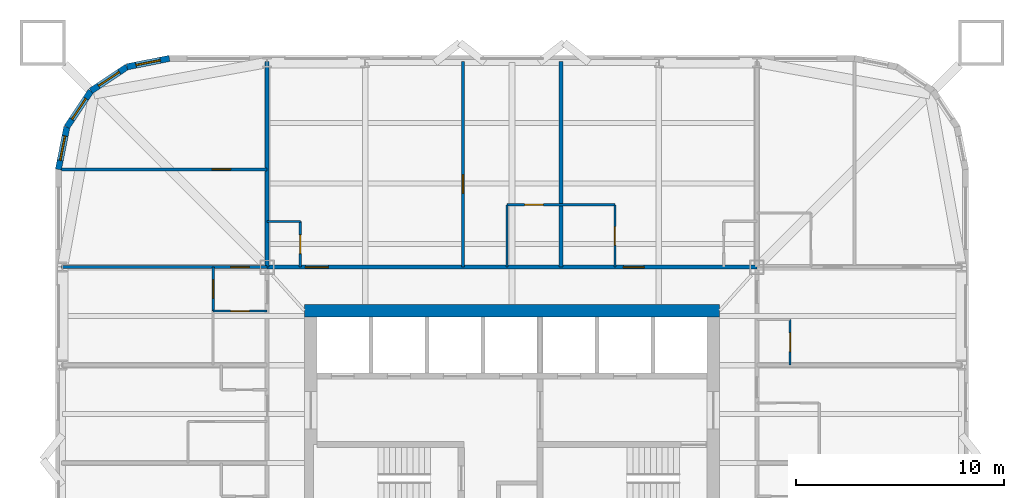
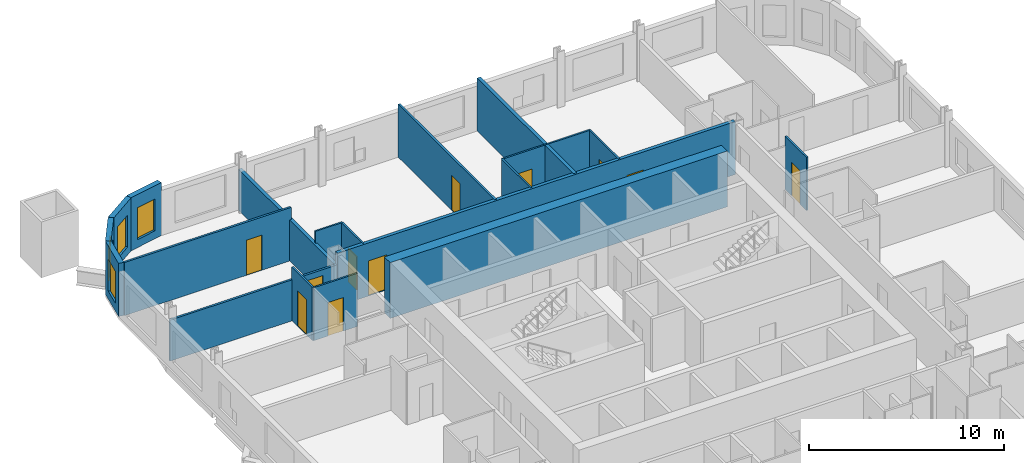
# One storey, part 7 of 10: 19 walls, 11 doors, 4 windows, 15 openings.
"""IFC4 building model written with IfcOpenShell, lengths in metres."""

import ifcopenshell
import ifcopenshell.guid

model = None  # the IFC model being written
_history = None  # IfcOwnerHistory: only IFC2X3 demands one
_inside = {}  # id of a spatial element -> (the spatial element, [elements in it])
_under = {}  # id of a project, library or spatial element -> (it, [spatial elements below it])
_declared = {}  # id of a project -> (the project, [libraries it declares])
_typed = {}  # id of a type object -> (the type object, [elements of that type])
_made_of = {}  # id of a material, layer set ... -> (it, [elements and type objects made of it])


def new_model(schema):
    """Start an empty IFC model of exactly this schema.

    Asked for "IFC4X3", IfcOpenShell would pick the latest addendum, in which some entities
    have other attributes; the version numbers below select the first issue.
    IFC2X3 requires an IfcOwnerHistory on every rooted entity: one is made here for all.
    """
    global model, _history
    if schema == "IFC4X3":
        model = ifcopenshell.file(schema_version=(4, 3, 0, 0))
    else:
        model = ifcopenshell.file(schema=schema)
    _inside.clear()
    _under.clear()
    _declared.clear()
    _typed.clear()
    _made_of.clear()
    _history = None
    if model.schema == "IFC2X3":
        org = make("IfcOrganization", Name="unknown")
        user = make(
            "IfcPersonAndOrganization",
            ThePerson=make("IfcPerson", FamilyName="unknown"),
            TheOrganization=org,
        )
        app = make(
            "IfcApplication",
            ApplicationDeveloper=org,
            Version="unknown",
            ApplicationFullName="unknown",
            ApplicationIdentifier="unknown",
        )
        _history = make(
            "IfcOwnerHistory",
            OwningUser=user,
            OwningApplication=app,
            ChangeAction="ADDED",
            CreationDate=0,
        )
    return model


def make(cls, **values):
    """One entity of the class cls with the attributes given. An attribute that is None is left unset."""
    return model.create_entity(
        cls, **{name: value for name, value in values.items() if value is not None}
    )


def rooted(cls, **values):
    """An entity with a GlobalId (a new one), such as an element, a storey or a relation."""
    return make(cls, GlobalId=ifcopenshell.guid.new(), OwnerHistory=_history, **values)


def si_unit(unit_type, name, prefix=None):
    """IfcSIUnit, for example si_unit("LENGTHUNIT", "METRE", prefix="MILLI")."""
    return make("IfcSIUnit", UnitType=unit_type, Prefix=prefix, Name=name)


def assignment(units):
    """IfcUnitAssignment: the units of a project."""
    return None if units is None else make("IfcUnitAssignment", Units=units)


def point(xyz):
    """IfcCartesianPoint."""
    return None if xyz is None else make("IfcCartesianPoint", Coordinates=xyz)


def direction(xyz):
    """IfcDirection."""
    return None if xyz is None else make("IfcDirection", DirectionRatios=xyz)


def frame(location, z_axis=None, x_axis=None):
    """IfcAxis2Placement3D, a coordinate frame: its origin and axes. An axis left out is left unset."""
    return make(
        "IfcAxis2Placement3D",
        Location=point(location),
        Axis=direction(z_axis),
        RefDirection=direction(x_axis),
    )


def frame_2d(location, x_axis=None):
    """IfcAxis2Placement2D, a coordinate frame in the plane: its origin and x axis."""
    return make(
        "IfcAxis2Placement2D", Location=point(location), RefDirection=direction(x_axis)
    )


def origin():
    """The frame at (0, 0, 0) with its axes left unset."""
    return frame((0.0, 0.0, 0.0))


def place(relative_to, where):
    """IfcLocalPlacement: puts the frame where relative to a parent placement (None: the world)."""
    return make(
        "IfcLocalPlacement", PlacementRelTo=relative_to, RelativePlacement=where
    )


def context(
    kind, dimensions, precision=None, world=None, true_north=None, identifier=None
):
    """IfcGeometricRepresentationContext, for example the 3D "Model" context."""
    return make(
        "IfcGeometricRepresentationContext",
        ContextIdentifier=identifier,
        ContextType=kind,
        CoordinateSpaceDimension=dimensions,
        Precision=precision,
        WorldCoordinateSystem=world,
        TrueNorth=true_north,
    )


def subcontext(parent, identifier, kind, view, scale=None):
    """IfcGeometricRepresentationSubContext, for example "Body" below "Model"."""
    return make(
        "IfcGeometricRepresentationSubContext",
        ContextIdentifier=identifier,
        ContextType=kind,
        ParentContext=parent,
        TargetScale=scale,
        TargetView=view,
    )


def project(units=None, contexts=None):
    """IfcProject with its units and contexts."""
    return rooted(
        "IfcProject",
        Name="project",
        RepresentationContexts=contexts,
        UnitsInContext=assignment(units),
    )


def spatial(cls, under=None, at=None, **own):
    """A site, building, storey or space (cls), placed at a placement, below another one or the project."""
    s = rooted(cls, ObjectPlacement=at, **own)
    if under is not None:
        _under.setdefault(under.id(), (under, []))[1].append(s)
    return s


def profile(cls, at=None, kind="AREA", **sizes):
    """A parametric profile (cls). Its sizes go by their IFC names, for example OverallWidth=200.0."""
    return make(cls, ProfileType=kind, Position=at, **sizes)


def rectangle(**sizes):
    """IfcRectangleProfileDef."""
    return profile("IfcRectangleProfileDef", **sizes)


def extrude(swept, where, along, depth):
    """IfcExtrudedAreaSolid: the profile swept, set in the frame where, extruded along a direction by depth."""
    return make(
        "IfcExtrudedAreaSolid",
        SweptArea=swept,
        Position=where,
        ExtrudedDirection=direction(along),
        Depth=depth,
    )


def shape(context_of_items, identifier, shape_type, items):
    """IfcShapeRepresentation: the items that make up one representation, for example the "Body"."""
    return make(
        "IfcShapeRepresentation",
        ContextOfItems=context_of_items,
        RepresentationIdentifier=identifier,
        RepresentationType=shape_type,
        Items=items,
    )


def material(Name=None, Category=None):
    """IfcMaterial."""
    return make("IfcMaterial", Name=Name, Category=Category)


def layer(
    of_material, thickness, ventilated=None, Name=None, Category=None, Priority=None
):
    """IfcMaterialLayer: one layer of a wall or slab, of a material (None: an air gap)."""
    return make(
        "IfcMaterialLayer",
        Material=of_material,
        LayerThickness=thickness,
        IsVentilated=ventilated,
        Name=Name,
        Category=Category,
        Priority=Priority,
    )


def layer_set(layers, Name=None):
    """IfcMaterialLayerSet."""
    return make("IfcMaterialLayerSet", MaterialLayers=layers, LayerSetName=Name)


def made_of(thing, what):
    """Note that an element or type object is made of a material, layer set ...; save() writes the relation."""
    if what is not None:
        _made_of.setdefault(what.id(), (what, []))[1].append(thing)
    return thing


def type_object(cls, material=None, **own):
    """A type object (cls), such as IfcWallType, which elements share."""
    return made_of(rooted(cls, **own), material)


def element(
    cls,
    number,
    at=None,
    inside=None,
    cuts=None,
    type_object=None,
    material=None,
    context=None,
    identifier="Body",
    shape_type=None,
    held_by="IfcProductDefinitionShape",
    body=None,
    shapes=None,
    **own,
):
    """One element of the class cls, such as IfcWall. Its Tag is "e" and its number.

    at: its placement. inside: the storey or other place that contains it. cuts: it is an
    opening in that element (IfcRelVoidsElement). A single representation is given by context,
    identifier, shape_type and body (its items); several are given by shapes. held_by: the class
    of the entity that holds the representations. save() writes the other relations.
    """
    e = rooted(cls, Tag="e%d" % number, ObjectPlacement=at, **own)
    if body is not None:
        shapes = [shape(context, identifier, shape_type, body)]
    if shapes is not None:
        e.Representation = make(held_by, Representations=shapes)
    if inside is not None:
        _inside.setdefault(inside.id(), (inside, []))[1].append(e)
    if cuts is not None:
        rooted(
            "IfcRelVoidsElement", RelatingBuildingElement=cuts, RelatedOpeningElement=e
        )
    if type_object is not None:
        _typed.setdefault(type_object.id(), (type_object, []))[1].append(e)
    return made_of(e, material)


def fill(opening, filler):
    """IfcRelFillsElement: the door or window that sits in an opening."""
    return rooted(
        "IfcRelFillsElement",
        RelatingOpeningElement=opening,
        RelatedBuildingElement=filler,
    )


def aggregate(whole, parts):
    """IfcRelAggregates: a whole, such as a stair, and the parts it consists of."""
    return rooted("IfcRelAggregates", RelatingObject=whole, RelatedObjects=parts)


def save(model, path):
    """Write the relations noted so far, then the file.

    IfcRelAggregates (storeys below a building ...), IfcRelContainedInSpatialStructure (elements
    in a storey), IfcRelDefinesByType, IfcRelAssociatesMaterial and IfcRelDeclares: one each for
    every whole, place, type object, material and project.
    """
    for whole, parts in _under.values():
        aggregate(whole, parts)
    for where, things in _inside.values():
        rooted(
            "IfcRelContainedInSpatialStructure",
            RelatedElements=things,
            RelatingStructure=where,
        )
    for kind, things in _typed.values():
        rooted("IfcRelDefinesByType", RelatedObjects=things, RelatingType=kind)
    for what, things in _made_of.values():
        rooted("IfcRelAssociatesMaterial", RelatedObjects=things, RelatingMaterial=what)
    for by, libraries in _declared.values():
        rooted("IfcRelDeclares", RelatingContext=by, RelatedDefinitions=libraries)
    model.write(path)


model = new_model("IFC4")

# Units and contexts
model_context = context("Model", 3, precision=1e-05, world=origin(), true_north=direction((0.0, 1.0)))
body_context = subcontext(model_context, "Body", "Model", "MODEL_VIEW")
ifc_project = project(units=[si_unit("LENGTHUNIT", "METRE"), si_unit("AREAUNIT", "SQUARE_METRE"), si_unit("VOLUMEUNIT", "CUBIC_METRE"), si_unit("PLANEANGLEUNIT", "RADIAN"), si_unit("MASSUNIT", "GRAM", prefix="KILO")], contexts=[model_context])

# Site, building, storey
site_placement = place(None, origin())
site = spatial("IfcSite", under=ifc_project, at=site_placement, CompositionType="ELEMENT")
building_placement = place(site_placement, origin())
building = spatial("IfcBuilding", under=site, at=building_placement, Name="Turquesa Mirador Hotel Tower", CompositionType="ELEMENT")
storey_placement = place(building_placement, frame((0.0, 0.0, 60.0)))
storey = spatial("IfcBuildingStorey", under=building, at=storey_placement, Name="L15", CompositionType="ELEMENT", Elevation=60.0)

# Wall
ifc_material_1 = material(Name="Gypsum board on steel studs", Category="steel")
ifc_layer_1 = layer(ifc_material_1, 0.10009765625)
ifc_layer_set_1 = layer_set([ifc_layer_1], Name="BATHROOM WALL 100")
wall_type_1 = type_object("IfcWallType", Name="BATHROOM WALL 100", PredefinedType="PARTITIONING", material=ifc_layer_set_1)
wall_1_placement = place(storey_placement, frame((43.199951171875, 59.0, 0.0), z_axis=(0.0, 0.0, 1.0), x_axis=(1.0, 0.0, 0.0)))
element("IfcWall", 1, at=wall_1_placement, inside=storey, type_object=wall_type_1, Name="Partition L15 025", PredefinedType="PARTITIONING", context=body_context, shape_type="SweptSolid", body=[
    extrude(rectangle(XDim=1.60009765625, YDim=0.10009765625, at=frame_2d((0.800048828125, 0.0))), origin(), (0.0, 0.0, 1.0), 3.330078125),
])

# Wall, opening, door
wall_2_placement = place(storey_placement, frame((54.760009765625, 59.800048828125, 0.0), z_axis=(0.0, 0.0, 1.0), x_axis=(1.0, 0.0, 0.0)))
wall_2 = element("IfcWall", 2, at=wall_2_placement, inside=storey, type_object=wall_type_1, Name="Partition L15 028", PredefinedType="PARTITIONING", context=body_context, shape_type="SweptSolid", body=[
    extrude(rectangle(XDim=5.199951171875, YDim=0.10009765625, at=frame_2d((2.60009765625, 0.0))), origin(), (0.0, 0.0, 1.0), 3.330078125),
])
opening_1_placement = place(wall_2_placement, frame((0.85009765625, 0.0, 0.0)))
opening_1 = element("IfcOpeningElement", 3, at=opening_1_placement, cuts=wall_2, Name="Opening D02", PredefinedType="OPENING", context=body_context, shape_type="SweptSolid", body=[
    extrude(rectangle(XDim=0.89990234375, YDim=2.10009765625, at=frame_2d((0.449951171875, 1.050048828125))), frame((0.0, 0.06005859375, 0.0), z_axis=(0.0, -1.0, 0.0), x_axis=(1.0, 0.0, 0.0)), (0.0, 0.0, 1.0), 0.1201171875),
])
ifc_material_2 = material(Name="Timber veneered door", Category="wood")
door_type_1 = type_object("IfcDoorType", Name="DOOR 900X2100 EN-SUITE", OperationType="SINGLE_SWING_RIGHT", PredefinedType="DOOR", material=ifc_material_2)
door_1_placement = place(opening_1_placement, origin())
door_1 = element("IfcDoor", 4, at=door_1_placement, inside=storey, type_object=door_type_1, Name="Door 1501B", OperationType="SINGLE_SWING_RIGHT", OverallHeight=2.10009765625, OverallWidth=0.89990234375, PredefinedType="DOOR", context=body_context, shape_type="SweptSolid", body=[
    extrude(rectangle(XDim=0.89990234375, YDim=2.10009765625, at=frame_2d((0.449951171875, 1.050048828125))), frame((0.0, 0.02490234375, 0.0), z_axis=(0.0, -1.0, 0.0), x_axis=(1.0, 0.0, 0.0)), (0.0, 0.0, 1.0), 0.050048828125),
])
fill(opening_1, door_1)

wall_3_placement = place(storey_placement, frame((40.60009765625, 54.679931640625, 0.0), z_axis=(0.0, 0.0, 1.0), x_axis=(1.0, 0.0, 0.0)))
wall_3 = element("IfcWall", 5, at=wall_3_placement, inside=storey, type_object=wall_type_1, Name="Partition L15 038", PredefinedType="PARTITIONING", context=body_context, shape_type="SweptSolid", body=[
    extrude(rectangle(XDim=2.599853515625, YDim=0.10009765625, at=frame_2d((1.2998046875, 0.0))), origin(), (0.0, 0.0, 1.0), 3.330078125),
])
opening_2_placement = place(wall_3_placement, frame((0.85009765625, 0.0, 0.0)))
opening_2 = element("IfcOpeningElement", 6, at=opening_2_placement, cuts=wall_3, Name="Opening D02", PredefinedType="OPENING", context=body_context, shape_type="SweptSolid", body=[
    extrude(rectangle(XDim=0.89990234375, YDim=2.10009765625, at=frame_2d((0.449951171875, 1.050048828125))), frame((0.0, 0.06005859375, 0.0), z_axis=(0.0, -1.0, 0.0), x_axis=(1.0, 0.0, 0.0)), (0.0, 0.0, 1.0), 0.1201171875),
])
door_2_placement = place(opening_2_placement, origin())
door_2 = element("IfcDoor", 7, at=door_2_placement, inside=storey, type_object=door_type_1, Name="Door 1511B", OperationType="SINGLE_SWING_RIGHT", OverallHeight=2.10009765625, OverallWidth=0.89990234375, PredefinedType="DOOR", context=body_context, shape_type="SweptSolid", body=[
    extrude(rectangle(XDim=0.89990234375, YDim=2.10009765625, at=frame_2d((0.449951171875, 1.050048828125))), frame((0.0, 0.02490234375, 0.0), z_axis=(0.0, -1.0, 0.0), x_axis=(1.0, 0.0, 0.0)), (0.0, 0.0, 1.0), 0.050048828125),
])
fill(opening_2, door_2)

# Wall
wall_4_placement = place(storey_placement, frame((54.760009765625, 56.800048828125, 0.0), z_axis=(0.0, 0.0, 1.0), x_axis=(0.0, 1.0, 0.0)))
element("IfcWall", 8, at=wall_4_placement, inside=storey, type_object=wall_type_1, Name="Partition L15 039", PredefinedType="PARTITIONING", context=body_context, shape_type="SweptSolid", body=[
    extrude(rectangle(XDim=3.0, YDim=0.10009765625, at=frame_2d((1.5, 0.0))), origin(), (0.0, 0.0, 1.0), 3.330078125),
])

# Wall, opening, door
wall_5_placement = place(storey_placement, frame((44.800048828125, 56.800048828125, 0.0), z_axis=(0.0, 0.0, 1.0), x_axis=(0.0, 1.0, 0.0)))
wall_5 = element("IfcWall", 9, at=wall_5_placement, inside=storey, type_object=wall_type_1, Name="Partition L15 040", PredefinedType="PARTITIONING", context=body_context, shape_type="SweptSolid", body=[
    extrude(rectangle(XDim=2.199951171875, YDim=0.10009765625, at=frame_2d((1.10009765625, 0.0))), origin(), (0.0, 0.0, 1.0), 3.330078125),
])
opening_3_placement = place(wall_5_placement, frame((0.64990234375, 0.0, 0.0)))
opening_3 = element("IfcOpeningElement", 10, at=opening_3_placement, cuts=wall_5, Name="Opening D06", PredefinedType="OPENING", context=body_context, shape_type="SweptSolid", body=[
    extrude(rectangle(XDim=0.89990234375, YDim=2.10009765625, at=frame_2d((0.449951171875, 1.050048828125))), frame((0.0, 0.06005859375, 0.0), z_axis=(0.0, -1.0, 0.0), x_axis=(1.0, 0.0, 0.0)), (0.0, 0.0, 1.0), 0.1201171875),
])
ifc_material_3 = material(Name="Laminate door", Category="wood")
door_type_2 = type_object("IfcDoorType", Name="DOOR 900X2100 WC", OperationType="SINGLE_SWING_LEFT", PredefinedType="DOOR", material=ifc_material_3)
door_3_placement = place(opening_3_placement, origin())
door_3 = element("IfcDoor", 11, at=door_3_placement, inside=storey, type_object=door_type_2, Name="Door 1501W", OperationType="SINGLE_SWING_LEFT", OverallHeight=2.10009765625, OverallWidth=0.89990234375, PredefinedType="DOOR", context=body_context, shape_type="SweptSolid", body=[
    extrude(rectangle(XDim=0.89990234375, YDim=2.10009765625, at=frame_2d((0.449951171875, 1.050048828125))), frame((0.0, 0.02490234375, 0.0), z_axis=(0.0, -1.0, 0.0), x_axis=(1.0, 0.0, 0.0)), (0.0, 0.0, 1.0), 0.050048828125),
])
fill(opening_3, door_3)

wall_6_placement = place(storey_placement, frame((68.39990234375, 52.080078125, 0.0), z_axis=(0.0, 0.0, 1.0), x_axis=(0.0, 1.0, 0.0)))
wall_6 = element("IfcWall", 12, at=wall_6_placement, inside=storey, type_object=wall_type_1, Name="Partition L15 062", PredefinedType="PARTITIONING", context=body_context, shape_type="SweptSolid", body=[
    extrude(rectangle(XDim=2.199951171875, YDim=0.10009765625, at=frame_2d((1.10009765625, 0.0))), origin(), (0.0, 0.0, 1.0), 3.330078125),
])
opening_4_placement = place(wall_6_placement, frame((0.64990234375, 0.0, 0.0)))
opening_4 = element("IfcOpeningElement", 13, at=opening_4_placement, cuts=wall_6, Name="Opening D06", PredefinedType="OPENING", context=body_context, shape_type="SweptSolid", body=[
    extrude(rectangle(XDim=0.89990234375, YDim=2.10009765625, at=frame_2d((0.449951171875, 1.050048828125))), frame((0.0, 0.06005859375, 0.0), z_axis=(0.0, -1.0, 0.0), x_axis=(1.0, 0.0, 0.0)), (0.0, 0.0, 1.0), 0.1201171875),
])
door_4_placement = place(opening_4_placement, origin())
door_4 = element("IfcDoor", 14, at=door_4_placement, inside=storey, type_object=door_type_2, Name="Door 1510W", OperationType="SINGLE_SWING_LEFT", OverallHeight=2.10009765625, OverallWidth=0.89990234375, PredefinedType="DOOR", context=body_context, shape_type="SweptSolid", body=[
    extrude(rectangle(XDim=0.89990234375, YDim=2.10009765625, at=frame_2d((0.449951171875, 1.050048828125))), frame((0.0, 0.02490234375, 0.0), z_axis=(0.0, -1.0, 0.0), x_axis=(1.0, 0.0, 0.0)), (0.0, 0.0, 1.0), 0.050048828125),
])
fill(opening_4, door_4)

wall_7_placement = place(storey_placement, frame((59.9599609375, 56.800048828125, 0.0), z_axis=(0.0, 0.0, 1.0), x_axis=(0.0, 1.0, 0.0)))
wall_7 = element("IfcWall", 15, at=wall_7_placement, inside=storey, type_object=wall_type_1, Name="Partition L15 071", PredefinedType="PARTITIONING", context=body_context, shape_type="SweptSolid", body=[
    extrude(rectangle(XDim=3.0, YDim=0.10009765625, at=frame_2d((1.5, 0.0))), origin(), (0.0, 0.0, 1.0), 3.330078125),
])
opening_5_placement = place(wall_7_placement, frame((1.050048828125, 0.0, 0.0)))
opening_5 = element("IfcOpeningElement", 16, at=opening_5_placement, cuts=wall_7, Name="Opening D02", PredefinedType="OPENING", context=body_context, shape_type="SweptSolid", body=[
    extrude(rectangle(XDim=0.89990234375, YDim=2.10009765625, at=frame_2d((0.449951171875, 1.050048828125))), frame((0.0, 0.06005859375, 0.0), z_axis=(0.0, -1.0, 0.0), x_axis=(1.0, 0.0, 0.0)), (0.0, 0.0, 1.0), 0.1201171875),
])
door_5_placement = place(opening_5_placement, origin())
door_5 = element("IfcDoor", 17, at=door_5_placement, inside=storey, type_object=door_type_1, Name="Door 1502B", OperationType="SINGLE_SWING_RIGHT", OverallHeight=2.10009765625, OverallWidth=0.89990234375, PredefinedType="DOOR", context=body_context, shape_type="SweptSolid", body=[
    extrude(rectangle(XDim=0.89990234375, YDim=2.10009765625, at=frame_2d((0.449951171875, 1.050048828125))), frame((0.0, 0.02490234375, 0.0), z_axis=(0.0, -1.0, 0.0), x_axis=(1.0, 0.0, 0.0)), (0.0, 0.0, 1.0), 0.050048828125),
])
fill(opening_5, door_5)

# Wall
ifc_material_4 = material(Name="Concrete C50/60", Category="concrete")
ifc_layer_2 = layer(ifc_material_4, 0.60009765625)
ifc_layer_set_2 = layer_set([ifc_layer_2], Name="CORE WALL 600")
wall_type_2 = type_object("IfcWallType", Name="CORE WALL 600", PredefinedType="SHEAR", material=ifc_layer_set_2)
wall_8_placement = place(storey_placement, frame((45.0, 54.699951171875, 0.0), z_axis=(0.0, 0.0, 1.0), x_axis=(1.0, 0.0, 0.0)))
element("IfcWall", 18, at=wall_8_placement, inside=storey, type_object=wall_type_2, Name="Core wall N", PredefinedType="SHEAR", context=body_context, shape_type="SweptSolid", body=[
    extrude(rectangle(XDim=20.0, YDim=0.60009765625, at=frame_2d((10.0, 0.0))), origin(), (0.0, 0.0, 1.0), 3.5),
])

# Wall, openings, doors
ifc_material_5 = material(Name="Fire-rated gypsum board on steel studs", Category="steel")
ifc_layer_3 = layer(ifc_material_5, 0.199951171875)
ifc_layer_set_3 = layer_set([ifc_layer_3], Name="CORRIDOR WALL 200")
wall_type_3 = type_object("IfcWallType", Name="CORRIDOR WALL 200", PredefinedType="PARTITIONING", material=ifc_layer_set_3)
wall_9_placement = place(storey_placement, frame((43.199951171875, 56.800048828125, 0.0), z_axis=(0.0, 0.0, 1.0), x_axis=(1.0, 0.0, 0.0)))
wall_9 = element("IfcWall", 19, at=wall_9_placement, inside=storey, type_object=wall_type_3, Name="Partition L15 022", PredefinedType="PARTITIONING", context=body_context, shape_type="SweptSolid", body=[
    extrude(rectangle(XDim=23.60009765625, YDim=0.199951171875, at=frame_2d((11.800048828125, 0.0))), origin(), (0.0, 0.0, 1.0), 3.330078125),
])
opening_6_placement = place(wall_9_placement, frame((1.85009765625, 0.0, 0.0)))
opening_6 = element("IfcOpeningElement", 20, at=opening_6_placement, cuts=wall_9, Name="Opening D15", PredefinedType="OPENING", context=body_context, shape_type="SweptSolid", body=[
    extrude(rectangle(XDim=1.10009765625, YDim=2.199951171875, at=frame_2d((0.550048828125, 1.10009765625))), frame((0.0, 0.10986328125, 0.0), z_axis=(0.0, -1.0, 0.0), x_axis=(1.0, 0.0, 0.0)), (0.0, 0.0, 1.0), 0.219970703125),
])
opening_7_placement = place(wall_9_placement, frame((17.159912109375, 0.0, 0.0)))
opening_7 = element("IfcOpeningElement", 21, at=opening_7_placement, cuts=wall_9, Name="Opening D01", PredefinedType="OPENING", context=body_context, shape_type="SweptSolid", body=[
    extrude(rectangle(XDim=1.0, YDim=2.199951171875, at=frame_2d((0.5, 1.10009765625))), frame((0.0, 0.10986328125, 0.0), z_axis=(0.0, -1.0, 0.0), x_axis=(1.0, 0.0, 0.0)), (0.0, 0.0, 1.0), 0.219970703125),
])
ifc_material_6 = material(Name="Timber veneered fire door", Category="wood")
door_type_3 = type_object("IfcDoorType", Name="DOOR 1000X2200 GUEST ENTRY", OperationType="SINGLE_SWING_LEFT", PredefinedType="DOOR", material=ifc_material_6)
door_6_placement = place(opening_7_placement, origin())
door_6 = element("IfcDoor", 22, at=door_6_placement, inside=storey, type_object=door_type_3, Name="Door 1502", OperationType="SINGLE_SWING_LEFT", OverallHeight=2.199951171875, OverallWidth=1.0, PredefinedType="DOOR", context=body_context, shape_type="SweptSolid", body=[
    extrude(rectangle(XDim=1.0, YDim=2.199951171875, at=frame_2d((0.5, 1.10009765625))), frame((0.0, 0.02490234375, 0.0), z_axis=(0.0, -1.0, 0.0), x_axis=(1.0, 0.0, 0.0)), (0.0, 0.0, 1.0), 0.050048828125),
])
fill(opening_7, door_6)
ifc_material_7 = material(Name="Timber veneered fire door", Category="wood")
door_type_4 = type_object("IfcDoorType", Name="DOOR 1100X2200 SUITE ENTRY", OperationType="SINGLE_SWING_LEFT", PredefinedType="DOOR", material=ifc_material_7)
door_7_placement = place(opening_6_placement, origin())
door_7 = element("IfcDoor", 23, at=door_7_placement, inside=storey, type_object=door_type_4, Name="Door 1501", OperationType="SINGLE_SWING_LEFT", OverallHeight=2.199951171875, OverallWidth=1.10009765625, PredefinedType="DOOR", context=body_context, shape_type="SweptSolid", body=[
    extrude(rectangle(XDim=1.10009765625, YDim=2.199951171875, at=frame_2d((0.550048828125, 1.10009765625))), frame((0.0, 0.02490234375, 0.0), z_axis=(0.0, -1.0, 0.0), x_axis=(1.0, 0.0, 0.0)), (0.0, 0.0, 1.0), 0.050048828125),
])
fill(opening_6, door_7)

# Wall, opening, window
ifc_material_8 = material(Name="Limestone cladding on concrete block", Category="masonry")
ifc_layer_4 = layer(ifc_material_8, 0.300048828125)
ifc_layer_set_4 = layer_set([ifc_layer_4], Name="FACADE WALL 300 STONE SCREEN")
wall_type_4 = type_object("IfcWallType", Name="FACADE WALL 300 STONE SCREEN", PredefinedType="SOLIDWALL", material=ifc_layer_set_4)
wall_10_placement = place(storey_placement, frame((38.5, 66.85009765625, 0.0), z_axis=(0.0, 0.0, 1.0), x_axis=(-0.980787050784, -0.195081421501, 0.0)))
wall_10 = element("IfcWall", 24, at=wall_10_placement, inside=storey, type_object=wall_type_4, Name="Facade wall L15 10", PredefinedType="SOLIDWALL", context=body_context, shape_type="SweptSolid", body=[
    extrude(rectangle(XDim=2.08740234375, YDim=0.300048828125, at=frame_2d((1.043701171875, 0.0))), origin(), (0.0, 0.0, 1.0), 3.330078125),
])
opening_8_placement = place(wall_10_placement, frame((0.443603515625, 0.0, 0.5)))
opening_8 = element("IfcOpeningElement", 25, at=opening_8_placement, cuts=wall_10, Name="Opening WN4", PredefinedType="OPENING", context=body_context, shape_type="SweptSolid", body=[
    extrude(rectangle(XDim=1.199951171875, YDim=2.0, at=frame_2d((0.60009765625, 1.0))), frame((0.0, 0.159912109375, 0.0), z_axis=(0.0, -1.0, 0.0), x_axis=(1.0, 0.0, 0.0)), (0.0, 0.0, 1.0), 0.320068359375),
])
ifc_material_9 = material(Name="Ceramic-fritted laminated glass", Category="glass")
window_type = type_object("IfcWindowType", Name="FRITTED CORNER WINDOW 1200X2000", PartitioningType="DOUBLE_PANEL_HORIZONTAL", PredefinedType="WINDOW", material=ifc_material_9)
window_1_placement = place(opening_8_placement, origin())
window_1 = element("IfcWindow", 26, at=window_1_placement, inside=storey, type_object=window_type, Name="Window L15", OverallHeight=2.0, OverallWidth=1.199951171875, PartitioningType="SINGLE_PANEL", PredefinedType="WINDOW", context=body_context, shape_type="SweptSolid", body=[
    extrude(rectangle(XDim=1.199951171875, YDim=2.0, at=frame_2d((0.60009765625, 1.0))), frame((0.0, 0.030029296875, 0.0), z_axis=(0.0, -1.0, 0.0), x_axis=(1.0, 0.0, 0.0)), (0.0, 0.0, 1.0), 0.06005859375),
])
fill(opening_8, window_1)

wall_11_placement = place(storey_placement, frame((36.45263671875, 66.44287109375, 0.0), z_axis=(0.0, 0.0, 1.0), x_axis=(-0.831420010345, -0.555644460423, 0.0)))
wall_11 = element("IfcWall", 27, at=wall_11_placement, inside=storey, type_object=wall_type_4, Name="Facade wall L15 11", PredefinedType="SOLIDWALL", context=body_context, shape_type="SweptSolid", body=[
    extrude(rectangle(XDim=2.08740234375, YDim=0.300048828125, at=frame_2d((1.043701171875, 0.0))), origin(), (0.0, 0.0, 1.0), 3.330078125),
])
opening_9_placement = place(wall_11_placement, frame((0.443603515625, 0.0, 0.5)))
opening_9 = element("IfcOpeningElement", 28, at=opening_9_placement, cuts=wall_11, Name="Opening WN4", PredefinedType="OPENING", context=body_context, shape_type="SweptSolid", body=[
    extrude(rectangle(XDim=1.199951171875, YDim=2.0, at=frame_2d((0.60009765625, 1.0))), frame((0.0, 0.159912109375, 0.0), z_axis=(0.0, -1.0, 0.0), x_axis=(1.0, 0.0, 0.0)), (0.0, 0.0, 1.0), 0.320068359375),
])
window_2_placement = place(opening_9_placement, origin())
window_2 = element("IfcWindow", 29, at=window_2_placement, inside=storey, type_object=window_type, Name="Window L15", OverallHeight=2.0, OverallWidth=1.199951171875, PartitioningType="SINGLE_PANEL", PredefinedType="WINDOW", context=body_context, shape_type="SweptSolid", body=[
    extrude(rectangle(XDim=1.199951171875, YDim=2.0, at=frame_2d((0.60009765625, 1.0))), frame((0.0, 0.030029296875, 0.0), z_axis=(0.0, -1.0, 0.0), x_axis=(1.0, 0.0, 0.0)), (0.0, 0.0, 1.0), 0.06005859375),
])
fill(opening_9, window_2)

wall_12_placement = place(storey_placement, frame((34.717041015625, 65.282958984375, 0.0), z_axis=(0.0, 0.0, 1.0), x_axis=(-0.555644460423, -0.831420010345, 0.0)))
wall_12 = element("IfcWall", 30, at=wall_12_placement, inside=storey, type_object=wall_type_4, Name="Facade wall L15 12", PredefinedType="SOLIDWALL", context=body_context, shape_type="SweptSolid", body=[
    extrude(rectangle(XDim=2.08740234375, YDim=0.300048828125, at=frame_2d((1.043701171875, 0.0))), origin(), (0.0, 0.0, 1.0), 3.330078125),
])
opening_10_placement = place(wall_12_placement, frame((0.443603515625, 0.0, 0.5)))
opening_10 = element("IfcOpeningElement", 31, at=opening_10_placement, cuts=wall_12, Name="Opening WN4", PredefinedType="OPENING", context=body_context, shape_type="SweptSolid", body=[
    extrude(rectangle(XDim=1.199951171875, YDim=2.0, at=frame_2d((0.60009765625, 1.0))), frame((0.0, 0.159912109375, 0.0), z_axis=(0.0, -1.0, 0.0), x_axis=(1.0, 0.0, 0.0)), (0.0, 0.0, 1.0), 0.320068359375),
])
window_3_placement = place(opening_10_placement, origin())
window_3 = element("IfcWindow", 32, at=window_3_placement, inside=storey, type_object=window_type, Name="Window L15", OverallHeight=2.0, OverallWidth=1.199951171875, PartitioningType="SINGLE_PANEL", PredefinedType="WINDOW", context=body_context, shape_type="SweptSolid", body=[
    extrude(rectangle(XDim=1.199951171875, YDim=2.0, at=frame_2d((0.60009765625, 1.0))), frame((0.0, 0.030029296875, 0.0), z_axis=(0.0, -1.0, 0.0), x_axis=(1.0, 0.0, 0.0)), (0.0, 0.0, 1.0), 0.06005859375),
])
fill(opening_10, window_3)

wall_13_placement = place(storey_placement, frame((33.55712890625, 63.54736328125, 0.0), z_axis=(0.0, 0.0, 1.0), x_axis=(-0.195081421501, -0.980787050784, 0.0)))
wall_13 = element("IfcWall", 33, at=wall_13_placement, inside=storey, type_object=wall_type_4, Name="Facade wall L15 13", PredefinedType="SOLIDWALL", context=body_context, shape_type="SweptSolid", body=[
    extrude(rectangle(XDim=2.08740234375, YDim=0.300048828125, at=frame_2d((1.043701171875, 0.0))), origin(), (0.0, 0.0, 1.0), 3.330078125),
])
opening_11_placement = place(wall_13_placement, frame((0.443603515625, 0.0, 0.5)))
opening_11 = element("IfcOpeningElement", 34, at=opening_11_placement, cuts=wall_13, Name="Opening WN4", PredefinedType="OPENING", context=body_context, shape_type="SweptSolid", body=[
    extrude(rectangle(XDim=1.199951171875, YDim=2.0, at=frame_2d((0.60009765625, 1.0))), frame((0.0, 0.159912109375, 0.0), z_axis=(0.0, -1.0, 0.0), x_axis=(1.0, 0.0, 0.0)), (0.0, 0.0, 1.0), 0.320068359375),
])
window_4_placement = place(opening_11_placement, origin())
window_4 = element("IfcWindow", 35, at=window_4_placement, inside=storey, type_object=window_type, Name="Window L15", OverallHeight=2.0, OverallWidth=1.199951171875, PartitioningType="SINGLE_PANEL", PredefinedType="WINDOW", context=body_context, shape_type="SweptSolid", body=[
    extrude(rectangle(XDim=1.199951171875, YDim=2.0, at=frame_2d((0.60009765625, 1.0))), frame((0.0, 0.030029296875, 0.0), z_axis=(0.0, -1.0, 0.0), x_axis=(1.0, 0.0, 0.0)), (0.0, 0.0, 1.0), 0.06005859375),
])
fill(opening_11, window_4)

# Walls
ifc_material_10 = material(Name="Fire-rated gypsum board on steel studs", Category="steel")
ifc_layer_5 = layer(ifc_material_10, 0.199951171875)
ifc_layer_set_5 = layer_set([ifc_layer_5], Name="PARTY WALL 200")
wall_type_5 = type_object("IfcWallType", Name="PARTY WALL 200", PredefinedType="PARTITIONING", material=ifc_layer_set_5)
wall_14_placement = place(storey_placement, frame((43.199951171875, 56.800048828125, 0.0), z_axis=(0.0, 0.0, 1.0), x_axis=(0.0, 1.0, 0.0)))
element("IfcWall", 36, at=wall_14_placement, inside=storey, type_object=wall_type_5, Name="Partition L15 043", PredefinedType="PARTITIONING", context=body_context, shape_type="SweptSolid", body=[
    extrude(rectangle(XDim=9.89990234375, YDim=0.199951171875, at=frame_2d((4.949951171875, 0.0))), origin(), (0.0, 0.0, 1.0), 2.572998046875),
])
wall_15_placement = place(storey_placement, frame((57.360107421875, 56.800048828125, 0.0), z_axis=(0.0, 0.0, 1.0), x_axis=(0.0, 1.0, 0.0)))
element("IfcWall", 37, at=wall_15_placement, inside=storey, type_object=wall_type_5, Name="Partition L15 070", PredefinedType="PARTITIONING", context=body_context, shape_type="SweptSolid", body=[
    extrude(rectangle(XDim=9.89990234375, YDim=0.199951171875, at=frame_2d((4.949951171875, 0.0))), origin(), (0.0, 0.0, 1.0), 3.330078125),
])

# Wall, opening, door
ifc_material_11 = material(Name="Acoustic gypsum board on steel studs", Category="steel")
ifc_layer_6 = layer(ifc_material_11, 0.125)
ifc_layer_set_6 = layer_set([ifc_layer_6], Name="SUITE PARTITION 125")
wall_type_6 = type_object("IfcWallType", Name="SUITE PARTITION 125", PredefinedType="PARTITIONING", material=ifc_layer_set_6)
wall_16_placement = place(storey_placement, frame((33.300048828125, 56.800048828125, 0.0), z_axis=(0.0, 0.0, 1.0), x_axis=(1.0, 0.0, 0.0)))
wall_16 = element("IfcWall", 38, at=wall_16_placement, inside=storey, type_object=wall_type_6, Name="Partition L15 023", PredefinedType="PARTITIONING", context=body_context, shape_type="SweptSolid", body=[
    extrude(rectangle(XDim=9.89990234375, YDim=0.125, at=frame_2d((4.949951171875, 0.0))), origin(), (0.0, 0.0, 1.0), 2.572998046875),
])
opening_12_placement = place(wall_16_placement, frame((8.14990234375, 0.0, 0.0)))
opening_12 = element("IfcOpeningElement", 39, at=opening_12_placement, cuts=wall_16, Name="Opening D17", PredefinedType="OPENING", context=body_context, shape_type="SweptSolid", body=[
    extrude(rectangle(XDim=0.89990234375, YDim=2.199951171875, at=frame_2d((0.449951171875, 1.10009765625))), frame((0.0, 0.072509765625, 0.0), z_axis=(0.0, -1.0, 0.0), x_axis=(1.0, 0.0, 0.0)), (0.0, 0.0, 1.0), 0.14501953125),
])
ifc_material_12 = material(Name="Timber veneered door", Category="wood")
door_type_5 = type_object("IfcDoorType", Name="DOOR 900X2200 SUITE INTERNAL", OperationType="SINGLE_SWING_LEFT", PredefinedType="DOOR", material=ifc_material_12)
door_8_placement = place(opening_12_placement, origin())
door_8 = element("IfcDoor", 40, at=door_8_placement, inside=storey, type_object=door_type_5, Name="Door 1511", OperationType="SINGLE_SWING_LEFT", OverallHeight=2.199951171875, OverallWidth=0.89990234375, PredefinedType="DOOR", context=body_context, shape_type="SweptSolid", body=[
    extrude(rectangle(XDim=0.89990234375, YDim=2.199951171875, at=frame_2d((0.449951171875, 1.10009765625))), frame((0.0, 0.02490234375, 0.0), z_axis=(0.0, -1.0, 0.0), x_axis=(1.0, 0.0, 0.0)), (0.0, 0.0, 1.0), 0.050048828125),
])
fill(opening_12, door_8)

wall_17_placement = place(storey_placement, frame((33.305908203125, 61.5, 0.0), z_axis=(0.0, 0.0, 1.0), x_axis=(1.0, 0.0, 0.0)))
wall_17 = element("IfcWall", 41, at=wall_17_placement, inside=storey, type_object=wall_type_6, Name="Partition L15 029", PredefinedType="PARTITIONING", context=body_context, shape_type="SweptSolid", body=[
    extrude(rectangle(XDim=9.89404296875, YDim=0.125, at=frame_2d((4.947021484375, 0.0))), origin(), (0.0, 0.0, 1.0), 3.330078125),
])
opening_13_placement = place(wall_17_placement, frame((7.244140625, 0.0, 0.0)))
opening_13 = element("IfcOpeningElement", 42, at=opening_13_placement, cuts=wall_17, Name="Opening D17", PredefinedType="OPENING", context=body_context, shape_type="SweptSolid", body=[
    extrude(rectangle(XDim=0.89990234375, YDim=2.199951171875, at=frame_2d((0.449951171875, 1.10009765625))), frame((0.0, 0.072509765625, 0.0), z_axis=(0.0, -1.0, 0.0), x_axis=(1.0, 0.0, 0.0)), (0.0, 0.0, 1.0), 0.14501953125),
])
door_9_placement = place(opening_13_placement, origin())
door_9 = element("IfcDoor", 43, at=door_9_placement, inside=storey, type_object=door_type_5, Name="Door 1511M", OperationType="SINGLE_SWING_LEFT", OverallHeight=2.199951171875, OverallWidth=0.89990234375, PredefinedType="DOOR", context=body_context, shape_type="SweptSolid", body=[
    extrude(rectangle(XDim=0.89990234375, YDim=2.199951171875, at=frame_2d((0.449951171875, 1.10009765625))), frame((0.0, 0.02490234375, 0.0), z_axis=(0.0, -1.0, 0.0), x_axis=(1.0, 0.0, 0.0)), (0.0, 0.0, 1.0), 0.050048828125),
])
fill(opening_13, door_9)

wall_18_placement = place(storey_placement, frame((40.60009765625, 54.679931640625, 0.0), z_axis=(0.0, 0.0, 1.0), x_axis=(0.0, 1.0, 0.0)))
wall_18 = element("IfcWall", 44, at=wall_18_placement, inside=storey, type_object=wall_type_6, Name="Partition L15 049", PredefinedType="PARTITIONING", context=body_context, shape_type="SweptSolid", body=[
    extrude(rectangle(XDim=2.1201171875, YDim=0.125, at=frame_2d((1.06005859375, 0.0))), origin(), (0.0, 0.0, 1.0), 3.330078125),
])
opening_14_placement = place(wall_18_placement, frame((0.610107421875, 0.0, 0.0)))
opening_14 = element("IfcOpeningElement", 45, at=opening_14_placement, cuts=wall_18, Name="Opening D17", PredefinedType="OPENING", context=body_context, shape_type="SweptSolid", body=[
    extrude(rectangle(XDim=0.89990234375, YDim=2.199951171875, at=frame_2d((0.449951171875, 1.10009765625))), frame((0.0, 0.072509765625, 0.0), z_axis=(0.0, -1.0, 0.0), x_axis=(1.0, 0.0, 0.0)), (0.0, 0.0, 1.0), 0.14501953125),
])
door_10_placement = place(opening_14_placement, origin())
door_10 = element("IfcDoor", 46, at=door_10_placement, inside=storey, type_object=door_type_5, Name="Door 1511R", OperationType="SINGLE_SWING_LEFT", OverallHeight=2.199951171875, OverallWidth=0.89990234375, PredefinedType="DOOR", context=body_context, shape_type="SweptSolid", body=[
    extrude(rectangle(XDim=0.89990234375, YDim=2.199951171875, at=frame_2d((0.449951171875, 1.10009765625))), frame((0.0, 0.02490234375, 0.0), z_axis=(0.0, -1.0, 0.0), x_axis=(1.0, 0.0, 0.0)), (0.0, 0.0, 1.0), 0.050048828125),
])
fill(opening_14, door_10)

wall_19_placement = place(storey_placement, frame((52.639892578125, 56.800048828125, 0.0), z_axis=(0.0, 0.0, 1.0), x_axis=(0.0, 1.0, 0.0)))
wall_19 = element("IfcWall", 47, at=wall_19_placement, inside=storey, type_object=wall_type_6, Name="Partition L15 053", PredefinedType="PARTITIONING", context=body_context, shape_type="SweptSolid", body=[
    extrude(rectangle(XDim=9.89990234375, YDim=0.125, at=frame_2d((4.949951171875, 0.0))), origin(), (0.0, 0.0, 1.0), 3.330078125),
])
opening_15_placement = place(wall_19_placement, frame((3.550048828125, 0.0, 0.0)))
opening_15 = element("IfcOpeningElement", 48, at=opening_15_placement, cuts=wall_19, Name="Opening D17", PredefinedType="OPENING", context=body_context, shape_type="SweptSolid", body=[
    extrude(rectangle(XDim=0.89990234375, YDim=2.199951171875, at=frame_2d((0.449951171875, 1.10009765625))), frame((0.0, 0.072509765625, 0.0), z_axis=(0.0, -1.0, 0.0), x_axis=(1.0, 0.0, 0.0)), (0.0, 0.0, 1.0), 0.14501953125),
])
door_11_placement = place(opening_15_placement, origin())
door_11 = element("IfcDoor", 49, at=door_11_placement, inside=storey, type_object=door_type_5, Name="Door 1501R", OperationType="SINGLE_SWING_LEFT", OverallHeight=2.199951171875, OverallWidth=0.89990234375, PredefinedType="DOOR", context=body_context, shape_type="SweptSolid", body=[
    extrude(rectangle(XDim=0.89990234375, YDim=2.199951171875, at=frame_2d((0.449951171875, 1.10009765625))), frame((0.0, 0.02490234375, 0.0), z_axis=(0.0, -1.0, 0.0), x_axis=(1.0, 0.0, 0.0)), (0.0, 0.0, 1.0), 0.050048828125),
])
fill(opening_15, door_11)

save(model, "model.ifc")
